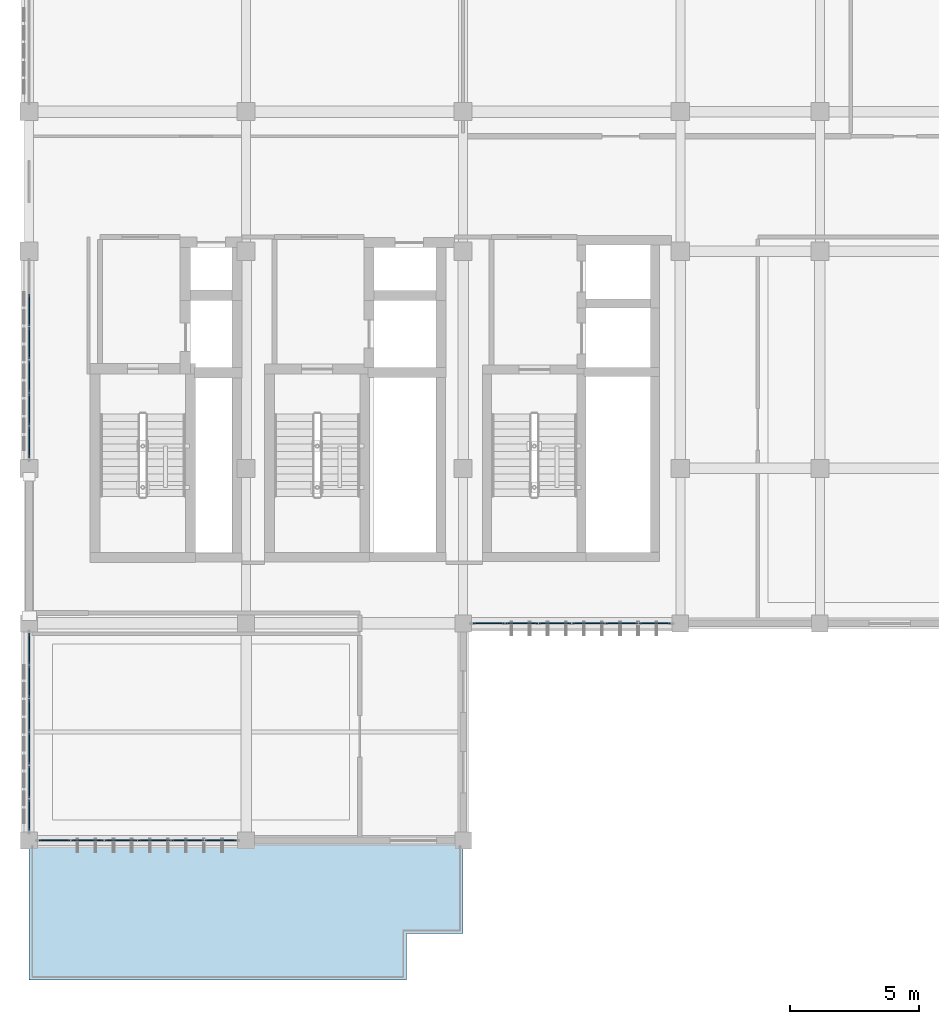
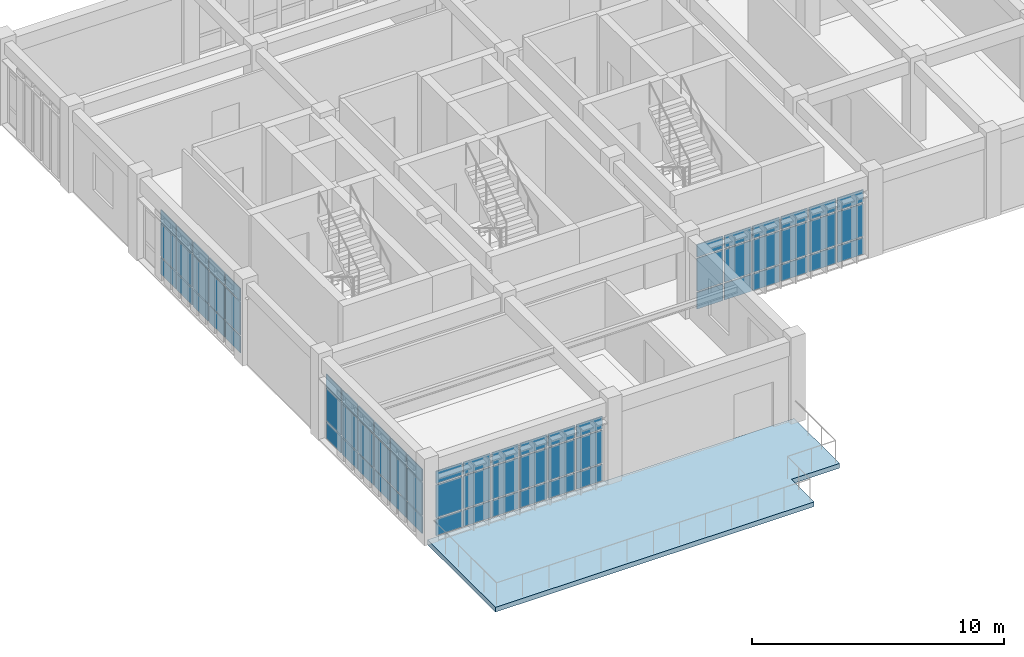
# One storey, part 16 of 23: 69 plates, 1 slab, 4 elements without a shape of their own.
"""IFC4 building model written with IfcOpenShell, lengths in metres."""

from ifc_helpers import new_model, si_unit, direction, frame, origin, origin_2d, place, context, subcontext, project, spatial, polyline, rectangle, outline, extrude, material, layer, layer_set, type_object, element, aggregate, save


model = new_model("IFC4")

# Units and contexts
model_context = context("Model", 3, precision=1e-05, world=origin(), true_north=direction((0.0, 1.0)))
body_context = subcontext(model_context, "Body", "Model", "MODEL_VIEW")
ifc_project = project(units=[si_unit("LENGTHUNIT", "METRE"), si_unit("AREAUNIT", "SQUARE_METRE"), si_unit("VOLUMEUNIT", "CUBIC_METRE"), si_unit("PLANEANGLEUNIT", "RADIAN"), si_unit("MASSUNIT", "GRAM", prefix="KILO")], contexts=[model_context])

# Site, building, storey
site_placement = place(None, origin())
site = spatial("IfcSite", under=ifc_project, at=site_placement, CompositionType="ELEMENT")
building_placement = place(site_placement, origin())
building = spatial("IfcBuilding", under=site, at=building_placement, Name="Krzemoval Escarpment Law Courts", CompositionType="ELEMENT")
storey_placement = place(building_placement, frame((0.0, 0.0, 25.199951171875)))
storey = spatial("IfcBuildingStorey", under=building, at=storey_placement, Name="L05", CompositionType="ELEMENT", Elevation=25.199951171875)

# Curtain wall, plates
ifc_material_1 = material(Name="Aluminium 6063-T6", Category="aluminium")
ifc_layer_1 = layer(ifc_material_1, 0.219970703125)
ifc_layer_set_1 = layer_set([ifc_layer_1], Name="Aluminium 6063-T6")
curtain_wall_type = type_object("IfcCurtainWallType", Name="CW-CHMB-4200", PredefinedType="USERDEFINED", material=ifc_layer_set_1)
curtain_wall_1_placement = place(storey_placement, origin())
curtain_wall_1 = element("IfcCurtainWall", 1, at=curtain_wall_1_placement, inside=storey, type_object=curtain_wall_type, Name="Unitised Curtain Wall FCW-L05-133", ObjectType="UNITISED_CURTAIN_WALL", PredefinedType="USERDEFINED")
ifc_material_2 = material(Name="Triple Glazing IGU", Category="glass")
ifc_layer_2 = layer(ifc_material_2, 0.0419921875)
ifc_layer_set_2 = layer_set([ifc_layer_2], Name="Triple Glazing IGU")
plate_type = type_object("IfcPlateType", Name="CWP-GLZ-42", PredefinedType="CURTAIN_PANEL", material=ifc_layer_set_2)
plate_1_placement = place(storey_placement, frame((133.412841796875, 85.199951171875, 0.06494140625), z_axis=(0.0, 0.0, 1.0), x_axis=(-1.0, 0.0, 0.0)))
plate_1 = element("IfcPlate", 2, at=plate_1_placement, type_object=plate_type, Name="FCW-L05-133 panel 1.1", PredefinedType="CURTAIN_PANEL", context=body_context, shape_type="SweptSolid", body=[
    extrude(rectangle(XDim=1.194091796875, YDim=0.0419921875, at=origin_2d()), origin(), (0.0, 0.0, 1.0), 0.802490234375),
])
plate_2_placement = place(storey_placement, frame((133.412841796875, 85.199951171875, 0.9326171875), z_axis=(0.0, 0.0, 1.0), x_axis=(-1.0, 0.0, 0.0)))
plate_2 = element("IfcPlate", 3, at=plate_2_placement, type_object=plate_type, Name="FCW-L05-133 panel 1.2", PredefinedType="CURTAIN_PANEL", context=body_context, shape_type="SweptSolid", body=[
    extrude(rectangle(XDim=1.194091796875, YDim=0.0419921875, at=origin_2d()), origin(), (0.0, 0.0, 1.0), 1.5849609375),
])
plate_3_placement = place(storey_placement, frame((133.412841796875, 85.199951171875, 2.58251953125), z_axis=(0.0, 0.0, 1.0), x_axis=(-1.0, 0.0, 0.0)))
plate_3 = element("IfcPlate", 4, at=plate_3_placement, type_object=plate_type, Name="FCW-L05-133 panel 1.3", PredefinedType="CURTAIN_PANEL", context=body_context, shape_type="SweptSolid", body=[
    extrude(rectangle(XDim=1.194091796875, YDim=0.0419921875, at=origin_2d()), origin(), (0.0, 0.0, 1.0), 0.6025390625),
])
plate_4_placement = place(storey_placement, frame((132.137451171875, 85.199951171875, 0.06494140625), z_axis=(0.0, 0.0, 1.0), x_axis=(-1.0, 0.0, 0.0)))
plate_4 = element("IfcPlate", 5, at=plate_4_placement, type_object=plate_type, Name="FCW-L05-133 panel 2.1", PredefinedType="CURTAIN_PANEL", context=body_context, shape_type="SweptSolid", body=[
    extrude(rectangle(XDim=1.2265625, YDim=0.0419921875, at=origin_2d()), origin(), (0.0, 0.0, 1.0), 0.802490234375),
])
plate_5_placement = place(storey_placement, frame((132.137451171875, 85.199951171875, 0.9326171875), z_axis=(0.0, 0.0, 1.0), x_axis=(-1.0, 0.0, 0.0)))
plate_5 = element("IfcPlate", 6, at=plate_5_placement, type_object=plate_type, Name="FCW-L05-133 panel 2.2", PredefinedType="CURTAIN_PANEL", context=body_context, shape_type="SweptSolid", body=[
    extrude(rectangle(XDim=1.2265625, YDim=0.0419921875, at=origin_2d()), origin(), (0.0, 0.0, 1.0), 1.5849609375),
])
plate_6_placement = place(storey_placement, frame((132.137451171875, 85.199951171875, 2.58251953125), z_axis=(0.0, 0.0, 1.0), x_axis=(-1.0, 0.0, 0.0)))
plate_6 = element("IfcPlate", 7, at=plate_6_placement, type_object=plate_type, Name="FCW-L05-133 panel 2.3", PredefinedType="CURTAIN_PANEL", context=body_context, shape_type="SweptSolid", body=[
    extrude(rectangle(XDim=1.2265625, YDim=0.0419921875, at=origin_2d()), origin(), (0.0, 0.0, 1.0), 0.6025390625),
])
plate_7_placement = place(storey_placement, frame((130.845947265625, 85.199951171875, 0.06494140625), z_axis=(0.0, 0.0, 1.0), x_axis=(-1.0, 0.0, 0.0)))
plate_7 = element("IfcPlate", 8, at=plate_7_placement, type_object=plate_type, Name="FCW-L05-133 panel 3.1", PredefinedType="CURTAIN_PANEL", context=body_context, shape_type="SweptSolid", body=[
    extrude(rectangle(XDim=1.2265625, YDim=0.0419921875, at=origin_2d()), origin(), (0.0, 0.0, 1.0), 0.802490234375),
])
plate_8_placement = place(storey_placement, frame((130.845947265625, 85.199951171875, 0.9326171875), z_axis=(0.0, 0.0, 1.0), x_axis=(-1.0, 0.0, 0.0)))
plate_8 = element("IfcPlate", 9, at=plate_8_placement, type_object=plate_type, Name="FCW-L05-133 panel 3.2", PredefinedType="CURTAIN_PANEL", context=body_context, shape_type="SweptSolid", body=[
    extrude(rectangle(XDim=1.2265625, YDim=0.0419921875, at=origin_2d()), origin(), (0.0, 0.0, 1.0), 1.5849609375),
])
plate_9_placement = place(storey_placement, frame((130.845947265625, 85.199951171875, 2.58251953125), z_axis=(0.0, 0.0, 1.0), x_axis=(-1.0, 0.0, 0.0)))
plate_9 = element("IfcPlate", 10, at=plate_9_placement, type_object=plate_type, Name="FCW-L05-133 panel 3.3", PredefinedType="CURTAIN_PANEL", context=body_context, shape_type="SweptSolid", body=[
    extrude(rectangle(XDim=1.2265625, YDim=0.0419921875, at=origin_2d()), origin(), (0.0, 0.0, 1.0), 0.6025390625),
])
plate_10_placement = place(storey_placement, frame((129.55419921875, 85.199951171875, 0.06494140625), z_axis=(0.0, 0.0, 1.0), x_axis=(-1.0, 0.0, 0.0)))
plate_10 = element("IfcPlate", 11, at=plate_10_placement, type_object=plate_type, Name="FCW-L05-133 panel 4.1", PredefinedType="CURTAIN_PANEL", context=body_context, shape_type="SweptSolid", body=[
    extrude(rectangle(XDim=1.2265625, YDim=0.0419921875, at=origin_2d()), origin(), (0.0, 0.0, 1.0), 0.802490234375),
])
plate_11_placement = place(storey_placement, frame((129.55419921875, 85.199951171875, 0.9326171875), z_axis=(0.0, 0.0, 1.0), x_axis=(-1.0, 0.0, 0.0)))
plate_11 = element("IfcPlate", 12, at=plate_11_placement, type_object=plate_type, Name="FCW-L05-133 panel 4.2", PredefinedType="CURTAIN_PANEL", context=body_context, shape_type="SweptSolid", body=[
    extrude(rectangle(XDim=1.2265625, YDim=0.0419921875, at=origin_2d()), origin(), (0.0, 0.0, 1.0), 1.5849609375),
])
plate_12_placement = place(storey_placement, frame((129.55419921875, 85.199951171875, 2.58251953125), z_axis=(0.0, 0.0, 1.0), x_axis=(-1.0, 0.0, 0.0)))
plate_12 = element("IfcPlate", 13, at=plate_12_placement, type_object=plate_type, Name="FCW-L05-133 panel 4.3", PredefinedType="CURTAIN_PANEL", context=body_context, shape_type="SweptSolid", body=[
    extrude(rectangle(XDim=1.2265625, YDim=0.0419921875, at=origin_2d()), origin(), (0.0, 0.0, 1.0), 0.6025390625),
])
plate_13_placement = place(storey_placement, frame((128.262451171875, 85.199951171875, 0.06494140625), z_axis=(0.0, 0.0, 1.0), x_axis=(-1.0, 0.0, 0.0)))
plate_13 = element("IfcPlate", 14, at=plate_13_placement, type_object=plate_type, Name="FCW-L05-133 panel 5.1", PredefinedType="CURTAIN_PANEL", context=body_context, shape_type="SweptSolid", body=[
    extrude(rectangle(XDim=1.2265625, YDim=0.0419921875, at=origin_2d()), origin(), (0.0, 0.0, 1.0), 0.802490234375),
])
plate_14_placement = place(storey_placement, frame((128.262451171875, 85.199951171875, 0.9326171875), z_axis=(0.0, 0.0, 1.0), x_axis=(-1.0, 0.0, 0.0)))
plate_14 = element("IfcPlate", 15, at=plate_14_placement, type_object=plate_type, Name="FCW-L05-133 panel 5.2", PredefinedType="CURTAIN_PANEL", context=body_context, shape_type="SweptSolid", body=[
    extrude(rectangle(XDim=1.2265625, YDim=0.0419921875, at=origin_2d()), origin(), (0.0, 0.0, 1.0), 1.5849609375),
])
plate_15_placement = place(storey_placement, frame((128.262451171875, 85.199951171875, 2.58251953125), z_axis=(0.0, 0.0, 1.0), x_axis=(-1.0, 0.0, 0.0)))
plate_15 = element("IfcPlate", 16, at=plate_15_placement, type_object=plate_type, Name="FCW-L05-133 panel 5.3", PredefinedType="CURTAIN_PANEL", context=body_context, shape_type="SweptSolid", body=[
    extrude(rectangle(XDim=1.2265625, YDim=0.0419921875, at=origin_2d()), origin(), (0.0, 0.0, 1.0), 0.6025390625),
])
plate_16_placement = place(storey_placement, frame((126.987060546875, 85.199951171875, 0.06494140625), z_axis=(0.0, 0.0, 1.0), x_axis=(-1.0, 0.0, 0.0)))
plate_16 = element("IfcPlate", 17, at=plate_16_placement, type_object=plate_type, Name="FCW-L05-133 panel 6.1", PredefinedType="CURTAIN_PANEL", context=body_context, shape_type="SweptSolid", body=[
    extrude(rectangle(XDim=1.194091796875, YDim=0.0419921875, at=origin_2d()), origin(), (0.0, 0.0, 1.0), 0.802490234375),
])
plate_17_placement = place(storey_placement, frame((126.987060546875, 85.199951171875, 0.9326171875), z_axis=(0.0, 0.0, 1.0), x_axis=(-1.0, 0.0, 0.0)))
plate_17 = element("IfcPlate", 18, at=plate_17_placement, type_object=plate_type, Name="FCW-L05-133 panel 6.2", PredefinedType="CURTAIN_PANEL", context=body_context, shape_type="SweptSolid", body=[
    extrude(rectangle(XDim=1.194091796875, YDim=0.0419921875, at=origin_2d()), origin(), (0.0, 0.0, 1.0), 1.5849609375),
])
plate_18_placement = place(storey_placement, frame((126.987060546875, 85.199951171875, 2.58251953125), z_axis=(0.0, 0.0, 1.0), x_axis=(-1.0, 0.0, 0.0)))
plate_18 = element("IfcPlate", 19, at=plate_18_placement, type_object=plate_type, Name="FCW-L05-133 panel 6.3", PredefinedType="CURTAIN_PANEL", context=body_context, shape_type="SweptSolid", body=[
    extrude(rectangle(XDim=1.194091796875, YDim=0.0419921875, at=origin_2d()), origin(), (0.0, 0.0, 1.0), 0.6025390625),
])
aggregate(curtain_wall_1, [plate_1, plate_2, plate_3, plate_4, plate_5, plate_6, plate_7, plate_8, plate_9, plate_10, plate_11, plate_12, plate_13, plate_14, plate_15, plate_16, plate_17, plate_18])

curtain_wall_2_placement = place(storey_placement, origin())
curtain_wall_2 = element("IfcCurtainWall", 20, at=curtain_wall_2_placement, inside=storey, type_object=curtain_wall_type, Name="Unitised Curtain Wall FCW-L05-134", ObjectType="UNITISED_CURTAIN_WALL", PredefinedType="USERDEFINED")
plate_19_placement = place(storey_placement, frame((126.0, 86.18701171875, 0.06494140625), z_axis=(0.0, 0.0, 1.0), x_axis=(0.0, 1.0, 0.0)))
plate_19 = element("IfcPlate", 21, at=plate_19_placement, type_object=plate_type, Name="FCW-L05-134 panel 1.1", PredefinedType="CURTAIN_PANEL", context=body_context, shape_type="SweptSolid", body=[
    extrude(rectangle(XDim=1.194091796875, YDim=0.0419921875, at=origin_2d()), origin(), (0.0, 0.0, 1.0), 0.802490234375),
])
plate_20_placement = place(storey_placement, frame((126.0, 86.18701171875, 0.9326171875), z_axis=(0.0, 0.0, 1.0), x_axis=(0.0, 1.0, 0.0)))
plate_20 = element("IfcPlate", 22, at=plate_20_placement, type_object=plate_type, Name="FCW-L05-134 panel 1.2", PredefinedType="CURTAIN_PANEL", context=body_context, shape_type="SweptSolid", body=[
    extrude(rectangle(XDim=1.194091796875, YDim=0.0419921875, at=origin_2d()), origin(), (0.0, 0.0, 1.0), 1.5849609375),
])
plate_21_placement = place(storey_placement, frame((126.0, 86.18701171875, 2.58251953125), z_axis=(0.0, 0.0, 1.0), x_axis=(0.0, 1.0, 0.0)))
plate_21 = element("IfcPlate", 23, at=plate_21_placement, type_object=plate_type, Name="FCW-L05-134 panel 1.3", PredefinedType="CURTAIN_PANEL", context=body_context, shape_type="SweptSolid", body=[
    extrude(rectangle(XDim=1.194091796875, YDim=0.0419921875, at=origin_2d()), origin(), (0.0, 0.0, 1.0), 0.6025390625),
])
plate_22_placement = place(storey_placement, frame((126.0, 87.46240234375, 0.06494140625), z_axis=(0.0, 0.0, 1.0), x_axis=(0.0, 1.0, 0.0)))
plate_22 = element("IfcPlate", 24, at=plate_22_placement, type_object=plate_type, Name="FCW-L05-134 panel 2.1", PredefinedType="CURTAIN_PANEL", context=body_context, shape_type="SweptSolid", body=[
    extrude(rectangle(XDim=1.2265625, YDim=0.0419921875, at=origin_2d()), origin(), (0.0, 0.0, 1.0), 0.802490234375),
])
plate_23_placement = place(storey_placement, frame((126.0, 87.46240234375, 0.9326171875), z_axis=(0.0, 0.0, 1.0), x_axis=(0.0, 1.0, 0.0)))
plate_23 = element("IfcPlate", 25, at=plate_23_placement, type_object=plate_type, Name="FCW-L05-134 panel 2.2", PredefinedType="CURTAIN_PANEL", context=body_context, shape_type="SweptSolid", body=[
    extrude(rectangle(XDim=1.2265625, YDim=0.0419921875, at=origin_2d()), origin(), (0.0, 0.0, 1.0), 1.5849609375),
])
plate_24_placement = place(storey_placement, frame((126.0, 87.46240234375, 2.58251953125), z_axis=(0.0, 0.0, 1.0), x_axis=(0.0, 1.0, 0.0)))
plate_24 = element("IfcPlate", 26, at=plate_24_placement, type_object=plate_type, Name="FCW-L05-134 panel 2.3", PredefinedType="CURTAIN_PANEL", context=body_context, shape_type="SweptSolid", body=[
    extrude(rectangle(XDim=1.2265625, YDim=0.0419921875, at=origin_2d()), origin(), (0.0, 0.0, 1.0), 0.6025390625),
])
plate_25_placement = place(storey_placement, frame((126.0, 88.754150390625, 0.06494140625), z_axis=(0.0, 0.0, 1.0), x_axis=(0.0, 1.0, 0.0)))
plate_25 = element("IfcPlate", 27, at=plate_25_placement, type_object=plate_type, Name="FCW-L05-134 panel 3.1", PredefinedType="CURTAIN_PANEL", context=body_context, shape_type="SweptSolid", body=[
    extrude(rectangle(XDim=1.2265625, YDim=0.0419921875, at=origin_2d()), origin(), (0.0, 0.0, 1.0), 0.802490234375),
])
plate_26_placement = place(storey_placement, frame((126.0, 88.754150390625, 0.9326171875), z_axis=(0.0, 0.0, 1.0), x_axis=(0.0, 1.0, 0.0)))
plate_26 = element("IfcPlate", 28, at=plate_26_placement, type_object=plate_type, Name="FCW-L05-134 panel 3.2", PredefinedType="CURTAIN_PANEL", context=body_context, shape_type="SweptSolid", body=[
    extrude(rectangle(XDim=1.2265625, YDim=0.0419921875, at=origin_2d()), origin(), (0.0, 0.0, 1.0), 1.5849609375),
])
plate_27_placement = place(storey_placement, frame((126.0, 88.754150390625, 2.58251953125), z_axis=(0.0, 0.0, 1.0), x_axis=(0.0, 1.0, 0.0)))
plate_27 = element("IfcPlate", 29, at=plate_27_placement, type_object=plate_type, Name="FCW-L05-134 panel 3.3", PredefinedType="CURTAIN_PANEL", context=body_context, shape_type="SweptSolid", body=[
    extrude(rectangle(XDim=1.2265625, YDim=0.0419921875, at=origin_2d()), origin(), (0.0, 0.0, 1.0), 0.6025390625),
])
plate_28_placement = place(storey_placement, frame((126.0, 90.0458984375, 0.06494140625), z_axis=(0.0, 0.0, 1.0), x_axis=(0.0, 1.0, 0.0)))
plate_28 = element("IfcPlate", 30, at=plate_28_placement, type_object=plate_type, Name="FCW-L05-134 panel 4.1", PredefinedType="CURTAIN_PANEL", context=body_context, shape_type="SweptSolid", body=[
    extrude(rectangle(XDim=1.2265625, YDim=0.0419921875, at=origin_2d()), origin(), (0.0, 0.0, 1.0), 0.802490234375),
])
plate_29_placement = place(storey_placement, frame((126.0, 90.0458984375, 0.9326171875), z_axis=(0.0, 0.0, 1.0), x_axis=(0.0, 1.0, 0.0)))
plate_29 = element("IfcPlate", 31, at=plate_29_placement, type_object=plate_type, Name="FCW-L05-134 panel 4.2", PredefinedType="CURTAIN_PANEL", context=body_context, shape_type="SweptSolid", body=[
    extrude(rectangle(XDim=1.2265625, YDim=0.0419921875, at=origin_2d()), origin(), (0.0, 0.0, 1.0), 1.5849609375),
])
plate_30_placement = place(storey_placement, frame((126.0, 90.0458984375, 2.58251953125), z_axis=(0.0, 0.0, 1.0), x_axis=(0.0, 1.0, 0.0)))
plate_30 = element("IfcPlate", 32, at=plate_30_placement, type_object=plate_type, Name="FCW-L05-134 panel 4.3", PredefinedType="CURTAIN_PANEL", context=body_context, shape_type="SweptSolid", body=[
    extrude(rectangle(XDim=1.2265625, YDim=0.0419921875, at=origin_2d()), origin(), (0.0, 0.0, 1.0), 0.6025390625),
])
plate_31_placement = place(storey_placement, frame((126.0, 91.33740234375, 0.06494140625), z_axis=(0.0, 0.0, 1.0), x_axis=(0.0, 1.0, 0.0)))
plate_31 = element("IfcPlate", 33, at=plate_31_placement, type_object=plate_type, Name="FCW-L05-134 panel 5.1", PredefinedType="CURTAIN_PANEL", context=body_context, shape_type="SweptSolid", body=[
    extrude(rectangle(XDim=1.2265625, YDim=0.0419921875, at=origin_2d()), origin(), (0.0, 0.0, 1.0), 0.802490234375),
])
plate_32_placement = place(storey_placement, frame((126.0, 91.33740234375, 0.9326171875), z_axis=(0.0, 0.0, 1.0), x_axis=(0.0, 1.0, 0.0)))
plate_32 = element("IfcPlate", 34, at=plate_32_placement, type_object=plate_type, Name="FCW-L05-134 panel 5.2", PredefinedType="CURTAIN_PANEL", context=body_context, shape_type="SweptSolid", body=[
    extrude(rectangle(XDim=1.2265625, YDim=0.0419921875, at=origin_2d()), origin(), (0.0, 0.0, 1.0), 1.5849609375),
])
plate_33_placement = place(storey_placement, frame((126.0, 91.33740234375, 2.58251953125), z_axis=(0.0, 0.0, 1.0), x_axis=(0.0, 1.0, 0.0)))
plate_33 = element("IfcPlate", 35, at=plate_33_placement, type_object=plate_type, Name="FCW-L05-134 panel 5.3", PredefinedType="CURTAIN_PANEL", context=body_context, shape_type="SweptSolid", body=[
    extrude(rectangle(XDim=1.2265625, YDim=0.0419921875, at=origin_2d()), origin(), (0.0, 0.0, 1.0), 0.6025390625),
])
plate_34_placement = place(storey_placement, frame((126.0, 92.613037109375, 0.06494140625), z_axis=(0.0, 0.0, 1.0), x_axis=(0.0, 1.0, 0.0)))
plate_34 = element("IfcPlate", 36, at=plate_34_placement, type_object=plate_type, Name="FCW-L05-134 panel 6.1", PredefinedType="CURTAIN_PANEL", context=body_context, shape_type="SweptSolid", body=[
    extrude(rectangle(XDim=1.194091796875, YDim=0.0419921875, at=origin_2d()), origin(), (0.0, 0.0, 1.0), 0.802490234375),
])
plate_35_placement = place(storey_placement, frame((126.0, 92.613037109375, 0.9326171875), z_axis=(0.0, 0.0, 1.0), x_axis=(0.0, 1.0, 0.0)))
plate_35 = element("IfcPlate", 37, at=plate_35_placement, type_object=plate_type, Name="FCW-L05-134 panel 6.2", PredefinedType="CURTAIN_PANEL", context=body_context, shape_type="SweptSolid", body=[
    extrude(rectangle(XDim=1.194091796875, YDim=0.0419921875, at=origin_2d()), origin(), (0.0, 0.0, 1.0), 1.5849609375),
])
plate_36_placement = place(storey_placement, frame((126.0, 92.613037109375, 2.58251953125), z_axis=(0.0, 0.0, 1.0), x_axis=(0.0, 1.0, 0.0)))
plate_36 = element("IfcPlate", 38, at=plate_36_placement, type_object=plate_type, Name="FCW-L05-134 panel 6.3", PredefinedType="CURTAIN_PANEL", context=body_context, shape_type="SweptSolid", body=[
    extrude(rectangle(XDim=1.194091796875, YDim=0.0419921875, at=origin_2d()), origin(), (0.0, 0.0, 1.0), 0.6025390625),
])
aggregate(curtain_wall_2, [plate_19, plate_20, plate_21, plate_22, plate_23, plate_24, plate_25, plate_26, plate_27, plate_28, plate_29, plate_30, plate_31, plate_32, plate_33, plate_34, plate_35, plate_36])

curtain_wall_3_placement = place(storey_placement, origin())
curtain_wall_3 = element("IfcCurtainWall", 39, at=curtain_wall_3_placement, inside=storey, type_object=curtain_wall_type, Name="Unitised Curtain Wall FCW-L05-135", ObjectType="UNITISED_CURTAIN_WALL", PredefinedType="USERDEFINED")
plate_37_placement = place(storey_placement, frame((126.0, 100.60791015625, 0.06494140625), z_axis=(0.0, 0.0, 1.0), x_axis=(0.0, 1.0, 0.0)))
plate_37 = element("IfcPlate", 40, at=plate_37_placement, type_object=plate_type, Name="FCW-L05-135 panel 1.1", PredefinedType="CURTAIN_PANEL", context=body_context, shape_type="SweptSolid", body=[
    extrude(rectangle(XDim=1.185791015625, YDim=0.0419921875, at=origin_2d()), origin(), (0.0, 0.0, 1.0), 0.802490234375),
])
plate_38_placement = place(storey_placement, frame((126.0, 100.60791015625, 0.9326171875), z_axis=(0.0, 0.0, 1.0), x_axis=(0.0, 1.0, 0.0)))
plate_38 = element("IfcPlate", 41, at=plate_38_placement, type_object=plate_type, Name="FCW-L05-135 panel 1.2", PredefinedType="CURTAIN_PANEL", context=body_context, shape_type="SweptSolid", body=[
    extrude(rectangle(XDim=1.185791015625, YDim=0.0419921875, at=origin_2d()), origin(), (0.0, 0.0, 1.0), 1.5849609375),
])
plate_39_placement = place(storey_placement, frame((126.0, 100.60791015625, 2.58251953125), z_axis=(0.0, 0.0, 1.0), x_axis=(0.0, 1.0, 0.0)))
plate_39 = element("IfcPlate", 42, at=plate_39_placement, type_object=plate_type, Name="FCW-L05-135 panel 1.3", PredefinedType="CURTAIN_PANEL", context=body_context, shape_type="SweptSolid", body=[
    extrude(rectangle(XDim=1.185791015625, YDim=0.0419921875, at=origin_2d()), origin(), (0.0, 0.0, 1.0), 0.6025390625),
])
plate_40_placement = place(storey_placement, frame((126.0, 101.875, 0.06494140625), z_axis=(0.0, 0.0, 1.0), x_axis=(0.0, 1.0, 0.0)))
plate_40 = element("IfcPlate", 43, at=plate_40_placement, type_object=plate_type, Name="FCW-L05-135 panel 2.1", PredefinedType="CURTAIN_PANEL", context=body_context, shape_type="SweptSolid", body=[
    extrude(rectangle(XDim=1.21826171875, YDim=0.0419921875, at=origin_2d()), origin(), (0.0, 0.0, 1.0), 0.802490234375),
])
plate_41_placement = place(storey_placement, frame((126.0, 101.875, 0.9326171875), z_axis=(0.0, 0.0, 1.0), x_axis=(0.0, 1.0, 0.0)))
plate_41 = element("IfcPlate", 44, at=plate_41_placement, type_object=plate_type, Name="FCW-L05-135 panel 2.2", PredefinedType="CURTAIN_PANEL", context=body_context, shape_type="SweptSolid", body=[
    extrude(rectangle(XDim=1.21826171875, YDim=0.0419921875, at=origin_2d()), origin(), (0.0, 0.0, 1.0), 1.5849609375),
])
plate_42_placement = place(storey_placement, frame((126.0, 101.875, 2.58251953125), z_axis=(0.0, 0.0, 1.0), x_axis=(0.0, 1.0, 0.0)))
plate_42 = element("IfcPlate", 45, at=plate_42_placement, type_object=plate_type, Name="FCW-L05-135 panel 2.3", PredefinedType="CURTAIN_PANEL", context=body_context, shape_type="SweptSolid", body=[
    extrude(rectangle(XDim=1.21826171875, YDim=0.0419921875, at=origin_2d()), origin(), (0.0, 0.0, 1.0), 0.6025390625),
])
plate_43_placement = place(storey_placement, frame((126.0, 103.158447265625, 0.06494140625), z_axis=(0.0, 0.0, 1.0), x_axis=(0.0, 1.0, 0.0)))
plate_43 = element("IfcPlate", 46, at=plate_43_placement, type_object=plate_type, Name="FCW-L05-135 panel 3.1", PredefinedType="CURTAIN_PANEL", context=body_context, shape_type="SweptSolid", body=[
    extrude(rectangle(XDim=1.21826171875, YDim=0.0419921875, at=origin_2d()), origin(), (0.0, 0.0, 1.0), 0.802490234375),
])
plate_44_placement = place(storey_placement, frame((126.0, 103.158447265625, 0.9326171875), z_axis=(0.0, 0.0, 1.0), x_axis=(0.0, 1.0, 0.0)))
plate_44 = element("IfcPlate", 47, at=plate_44_placement, type_object=plate_type, Name="FCW-L05-135 panel 3.2", PredefinedType="CURTAIN_PANEL", context=body_context, shape_type="SweptSolid", body=[
    extrude(rectangle(XDim=1.21826171875, YDim=0.0419921875, at=origin_2d()), origin(), (0.0, 0.0, 1.0), 1.5849609375),
])
plate_45_placement = place(storey_placement, frame((126.0, 103.158447265625, 2.58251953125), z_axis=(0.0, 0.0, 1.0), x_axis=(0.0, 1.0, 0.0)))
plate_45 = element("IfcPlate", 48, at=plate_45_placement, type_object=plate_type, Name="FCW-L05-135 panel 3.3", PredefinedType="CURTAIN_PANEL", context=body_context, shape_type="SweptSolid", body=[
    extrude(rectangle(XDim=1.21826171875, YDim=0.0419921875, at=origin_2d()), origin(), (0.0, 0.0, 1.0), 0.6025390625),
])
plate_46_placement = place(storey_placement, frame((126.0, 104.441650390625, 0.06494140625), z_axis=(0.0, 0.0, 1.0), x_axis=(0.0, 1.0, 0.0)))
plate_46 = element("IfcPlate", 49, at=plate_46_placement, type_object=plate_type, Name="FCW-L05-135 panel 4.1", PredefinedType="CURTAIN_PANEL", context=body_context, shape_type="SweptSolid", body=[
    extrude(rectangle(XDim=1.21826171875, YDim=0.0419921875, at=origin_2d()), origin(), (0.0, 0.0, 1.0), 0.802490234375),
])
plate_47_placement = place(storey_placement, frame((126.0, 104.441650390625, 0.9326171875), z_axis=(0.0, 0.0, 1.0), x_axis=(0.0, 1.0, 0.0)))
plate_47 = element("IfcPlate", 50, at=plate_47_placement, type_object=plate_type, Name="FCW-L05-135 panel 4.2", PredefinedType="CURTAIN_PANEL", context=body_context, shape_type="SweptSolid", body=[
    extrude(rectangle(XDim=1.21826171875, YDim=0.0419921875, at=origin_2d()), origin(), (0.0, 0.0, 1.0), 1.5849609375),
])
plate_48_placement = place(storey_placement, frame((126.0, 104.441650390625, 2.58251953125), z_axis=(0.0, 0.0, 1.0), x_axis=(0.0, 1.0, 0.0)))
plate_48 = element("IfcPlate", 51, at=plate_48_placement, type_object=plate_type, Name="FCW-L05-135 panel 4.3", PredefinedType="CURTAIN_PANEL", context=body_context, shape_type="SweptSolid", body=[
    extrude(rectangle(XDim=1.21826171875, YDim=0.0419921875, at=origin_2d()), origin(), (0.0, 0.0, 1.0), 0.6025390625),
])
plate_49_placement = place(storey_placement, frame((126.0, 105.72509765625, 0.06494140625), z_axis=(0.0, 0.0, 1.0), x_axis=(0.0, 1.0, 0.0)))
plate_49 = element("IfcPlate", 52, at=plate_49_placement, type_object=plate_type, Name="FCW-L05-135 panel 5.1", PredefinedType="CURTAIN_PANEL", context=body_context, shape_type="SweptSolid", body=[
    extrude(rectangle(XDim=1.21826171875, YDim=0.0419921875, at=origin_2d()), origin(), (0.0, 0.0, 1.0), 0.802490234375),
])
plate_50_placement = place(storey_placement, frame((126.0, 105.72509765625, 0.9326171875), z_axis=(0.0, 0.0, 1.0), x_axis=(0.0, 1.0, 0.0)))
plate_50 = element("IfcPlate", 53, at=plate_50_placement, type_object=plate_type, Name="FCW-L05-135 panel 5.2", PredefinedType="CURTAIN_PANEL", context=body_context, shape_type="SweptSolid", body=[
    extrude(rectangle(XDim=1.21826171875, YDim=0.0419921875, at=origin_2d()), origin(), (0.0, 0.0, 1.0), 1.5849609375),
])
plate_51_placement = place(storey_placement, frame((126.0, 105.72509765625, 2.58251953125), z_axis=(0.0, 0.0, 1.0), x_axis=(0.0, 1.0, 0.0)))
plate_51 = element("IfcPlate", 54, at=plate_51_placement, type_object=plate_type, Name="FCW-L05-135 panel 5.3", PredefinedType="CURTAIN_PANEL", context=body_context, shape_type="SweptSolid", body=[
    extrude(rectangle(XDim=1.21826171875, YDim=0.0419921875, at=origin_2d()), origin(), (0.0, 0.0, 1.0), 0.6025390625),
])
aggregate(curtain_wall_3, [plate_37, plate_38, plate_39, plate_40, plate_41, plate_42, plate_43, plate_44, plate_45, plate_46, plate_47, plate_48, plate_49, plate_50, plate_51])

curtain_wall_4_placement = place(storey_placement, origin())
curtain_wall_4 = element("IfcCurtainWall", 55, at=curtain_wall_4_placement, inside=storey, type_object=curtain_wall_type, Name="Unitised Curtain Wall FCW-L05-144", ObjectType="UNITISED_CURTAIN_WALL", PredefinedType="USERDEFINED")
plate_52_placement = place(storey_placement, frame((150.212890625, 93.60009765625, 0.06494140625), z_axis=(0.0, 0.0, 1.0), x_axis=(-1.0, 0.0, 0.0)))
plate_52 = element("IfcPlate", 56, at=plate_52_placement, type_object=plate_type, Name="FCW-L05-144 panel 1.1", PredefinedType="CURTAIN_PANEL", context=body_context, shape_type="SweptSolid", body=[
    extrude(rectangle(XDim=1.194091796875, YDim=0.0419921875, at=origin_2d()), origin(), (0.0, 0.0, 1.0), 0.802490234375),
])
plate_53_placement = place(storey_placement, frame((150.212890625, 93.60009765625, 0.9326171875), z_axis=(0.0, 0.0, 1.0), x_axis=(-1.0, 0.0, 0.0)))
plate_53 = element("IfcPlate", 57, at=plate_53_placement, type_object=plate_type, Name="FCW-L05-144 panel 1.2", PredefinedType="CURTAIN_PANEL", context=body_context, shape_type="SweptSolid", body=[
    extrude(rectangle(XDim=1.194091796875, YDim=0.0419921875, at=origin_2d()), origin(), (0.0, 0.0, 1.0), 1.5849609375),
])
plate_54_placement = place(storey_placement, frame((150.212890625, 93.60009765625, 2.58251953125), z_axis=(0.0, 0.0, 1.0), x_axis=(-1.0, 0.0, 0.0)))
plate_54 = element("IfcPlate", 58, at=plate_54_placement, type_object=plate_type, Name="FCW-L05-144 panel 1.3", PredefinedType="CURTAIN_PANEL", context=body_context, shape_type="SweptSolid", body=[
    extrude(rectangle(XDim=1.194091796875, YDim=0.0419921875, at=origin_2d()), origin(), (0.0, 0.0, 1.0), 0.6025390625),
])
plate_55_placement = place(storey_placement, frame((148.9375, 93.60009765625, 0.06494140625), z_axis=(0.0, 0.0, 1.0), x_axis=(-1.0, 0.0, 0.0)))
plate_55 = element("IfcPlate", 59, at=plate_55_placement, type_object=plate_type, Name="FCW-L05-144 panel 2.1", PredefinedType="CURTAIN_PANEL", context=body_context, shape_type="SweptSolid", body=[
    extrude(rectangle(XDim=1.2265625, YDim=0.0419921875, at=origin_2d()), origin(), (0.0, 0.0, 1.0), 0.802490234375),
])
plate_56_placement = place(storey_placement, frame((148.9375, 93.60009765625, 0.9326171875), z_axis=(0.0, 0.0, 1.0), x_axis=(-1.0, 0.0, 0.0)))
plate_56 = element("IfcPlate", 60, at=plate_56_placement, type_object=plate_type, Name="FCW-L05-144 panel 2.2", PredefinedType="CURTAIN_PANEL", context=body_context, shape_type="SweptSolid", body=[
    extrude(rectangle(XDim=1.2265625, YDim=0.0419921875, at=origin_2d()), origin(), (0.0, 0.0, 1.0), 1.5849609375),
])
plate_57_placement = place(storey_placement, frame((148.9375, 93.60009765625, 2.58251953125), z_axis=(0.0, 0.0, 1.0), x_axis=(-1.0, 0.0, 0.0)))
plate_57 = element("IfcPlate", 61, at=plate_57_placement, type_object=plate_type, Name="FCW-L05-144 panel 2.3", PredefinedType="CURTAIN_PANEL", context=body_context, shape_type="SweptSolid", body=[
    extrude(rectangle(XDim=1.2265625, YDim=0.0419921875, at=origin_2d()), origin(), (0.0, 0.0, 1.0), 0.6025390625),
])
plate_58_placement = place(storey_placement, frame((147.645751953125, 93.60009765625, 0.06494140625), z_axis=(0.0, 0.0, 1.0), x_axis=(-1.0, 0.0, 0.0)))
plate_58 = element("IfcPlate", 62, at=plate_58_placement, type_object=plate_type, Name="FCW-L05-144 panel 3.1", PredefinedType="CURTAIN_PANEL", context=body_context, shape_type="SweptSolid", body=[
    extrude(rectangle(XDim=1.2265625, YDim=0.0419921875, at=origin_2d()), origin(), (0.0, 0.0, 1.0), 0.802490234375),
])
plate_59_placement = place(storey_placement, frame((147.645751953125, 93.60009765625, 0.9326171875), z_axis=(0.0, 0.0, 1.0), x_axis=(-1.0, 0.0, 0.0)))
plate_59 = element("IfcPlate", 63, at=plate_59_placement, type_object=plate_type, Name="FCW-L05-144 panel 3.2", PredefinedType="CURTAIN_PANEL", context=body_context, shape_type="SweptSolid", body=[
    extrude(rectangle(XDim=1.2265625, YDim=0.0419921875, at=origin_2d()), origin(), (0.0, 0.0, 1.0), 1.5849609375),
])
plate_60_placement = place(storey_placement, frame((147.645751953125, 93.60009765625, 2.58251953125), z_axis=(0.0, 0.0, 1.0), x_axis=(-1.0, 0.0, 0.0)))
plate_60 = element("IfcPlate", 64, at=plate_60_placement, type_object=plate_type, Name="FCW-L05-144 panel 3.3", PredefinedType="CURTAIN_PANEL", context=body_context, shape_type="SweptSolid", body=[
    extrude(rectangle(XDim=1.2265625, YDim=0.0419921875, at=origin_2d()), origin(), (0.0, 0.0, 1.0), 0.6025390625),
])
plate_61_placement = place(storey_placement, frame((146.354248046875, 93.60009765625, 0.06494140625), z_axis=(0.0, 0.0, 1.0), x_axis=(-1.0, 0.0, 0.0)))
plate_61 = element("IfcPlate", 65, at=plate_61_placement, type_object=plate_type, Name="FCW-L05-144 panel 4.1", PredefinedType="CURTAIN_PANEL", context=body_context, shape_type="SweptSolid", body=[
    extrude(rectangle(XDim=1.2265625, YDim=0.0419921875, at=origin_2d()), origin(), (0.0, 0.0, 1.0), 0.802490234375),
])
plate_62_placement = place(storey_placement, frame((146.354248046875, 93.60009765625, 0.9326171875), z_axis=(0.0, 0.0, 1.0), x_axis=(-1.0, 0.0, 0.0)))
plate_62 = element("IfcPlate", 66, at=plate_62_placement, type_object=plate_type, Name="FCW-L05-144 panel 4.2", PredefinedType="CURTAIN_PANEL", context=body_context, shape_type="SweptSolid", body=[
    extrude(rectangle(XDim=1.2265625, YDim=0.0419921875, at=origin_2d()), origin(), (0.0, 0.0, 1.0), 1.5849609375),
])
plate_63_placement = place(storey_placement, frame((146.354248046875, 93.60009765625, 2.58251953125), z_axis=(0.0, 0.0, 1.0), x_axis=(-1.0, 0.0, 0.0)))
plate_63 = element("IfcPlate", 67, at=plate_63_placement, type_object=plate_type, Name="FCW-L05-144 panel 4.3", PredefinedType="CURTAIN_PANEL", context=body_context, shape_type="SweptSolid", body=[
    extrude(rectangle(XDim=1.2265625, YDim=0.0419921875, at=origin_2d()), origin(), (0.0, 0.0, 1.0), 0.6025390625),
])
plate_64_placement = place(storey_placement, frame((145.0625, 93.60009765625, 0.06494140625), z_axis=(0.0, 0.0, 1.0), x_axis=(-1.0, 0.0, 0.0)))
plate_64 = element("IfcPlate", 68, at=plate_64_placement, type_object=plate_type, Name="FCW-L05-144 panel 5.1", PredefinedType="CURTAIN_PANEL", context=body_context, shape_type="SweptSolid", body=[
    extrude(rectangle(XDim=1.2265625, YDim=0.0419921875, at=origin_2d()), origin(), (0.0, 0.0, 1.0), 0.802490234375),
])
plate_65_placement = place(storey_placement, frame((145.0625, 93.60009765625, 0.9326171875), z_axis=(0.0, 0.0, 1.0), x_axis=(-1.0, 0.0, 0.0)))
plate_65 = element("IfcPlate", 69, at=plate_65_placement, type_object=plate_type, Name="FCW-L05-144 panel 5.2", PredefinedType="CURTAIN_PANEL", context=body_context, shape_type="SweptSolid", body=[
    extrude(rectangle(XDim=1.2265625, YDim=0.0419921875, at=origin_2d()), origin(), (0.0, 0.0, 1.0), 1.5849609375),
])
plate_66_placement = place(storey_placement, frame((145.0625, 93.60009765625, 2.58251953125), z_axis=(0.0, 0.0, 1.0), x_axis=(-1.0, 0.0, 0.0)))
plate_66 = element("IfcPlate", 70, at=plate_66_placement, type_object=plate_type, Name="FCW-L05-144 panel 5.3", PredefinedType="CURTAIN_PANEL", context=body_context, shape_type="SweptSolid", body=[
    extrude(rectangle(XDim=1.2265625, YDim=0.0419921875, at=origin_2d()), origin(), (0.0, 0.0, 1.0), 0.6025390625),
])
plate_67_placement = place(storey_placement, frame((143.787109375, 93.60009765625, 0.06494140625), z_axis=(0.0, 0.0, 1.0), x_axis=(-1.0, 0.0, 0.0)))
plate_67 = element("IfcPlate", 71, at=plate_67_placement, type_object=plate_type, Name="FCW-L05-144 panel 6.1", PredefinedType="CURTAIN_PANEL", context=body_context, shape_type="SweptSolid", body=[
    extrude(rectangle(XDim=1.194091796875, YDim=0.0419921875, at=origin_2d()), origin(), (0.0, 0.0, 1.0), 0.802490234375),
])
plate_68_placement = place(storey_placement, frame((143.787109375, 93.60009765625, 0.9326171875), z_axis=(0.0, 0.0, 1.0), x_axis=(-1.0, 0.0, 0.0)))
plate_68 = element("IfcPlate", 72, at=plate_68_placement, type_object=plate_type, Name="FCW-L05-144 panel 6.2", PredefinedType="CURTAIN_PANEL", context=body_context, shape_type="SweptSolid", body=[
    extrude(rectangle(XDim=1.194091796875, YDim=0.0419921875, at=origin_2d()), origin(), (0.0, 0.0, 1.0), 1.5849609375),
])
plate_69_placement = place(storey_placement, frame((143.787109375, 93.60009765625, 2.58251953125), z_axis=(0.0, 0.0, 1.0), x_axis=(-1.0, 0.0, 0.0)))
plate_69 = element("IfcPlate", 73, at=plate_69_placement, type_object=plate_type, Name="FCW-L05-144 panel 6.3", PredefinedType="CURTAIN_PANEL", context=body_context, shape_type="SweptSolid", body=[
    extrude(rectangle(XDim=1.194091796875, YDim=0.0419921875, at=origin_2d()), origin(), (0.0, 0.0, 1.0), 0.6025390625),
])
aggregate(curtain_wall_4, [plate_52, plate_53, plate_54, plate_55, plate_56, plate_57, plate_58, plate_59, plate_60, plate_61, plate_62, plate_63, plate_64, plate_65, plate_66, plate_67, plate_68, plate_69])

# Slab
ifc_material_3 = material(Name="Concrete C40/50", Category="concrete")
ifc_layer_3 = layer(ifc_material_3, 0.22998046875)
ifc_layer_set_3 = layer_set([ifc_layer_3], Name="Concrete C40/50")
slab_type = type_object("IfcSlabType", Name="SL-TER-320", PredefinedType="ROOF", material=ifc_layer_set_3)
slab_placement = place(storey_placement, frame((0.0, 0.0, -0.22998046875)))
element("IfcSlab", 74, at=slab_placement, inside=storey, type_object=slab_type, Name="Planted Roof Terrace Step 2", PredefinedType="ROOF", context=body_context, shape_type="SweptSolid", body=[
    extrude(outline(polyline([(126.0, 85.199951171875), (142.800048828125, 85.199951171875), (142.800048828125, 81.60009765625), (140.60009765625, 81.60009765625), (140.60009765625, 79.800048828125), (126.0, 79.800048828125), (126.0, 85.199951171875)])), origin(), (0.0, 0.0, 1.0), 0.22998046875),
])

save(model, "model.ifc")
